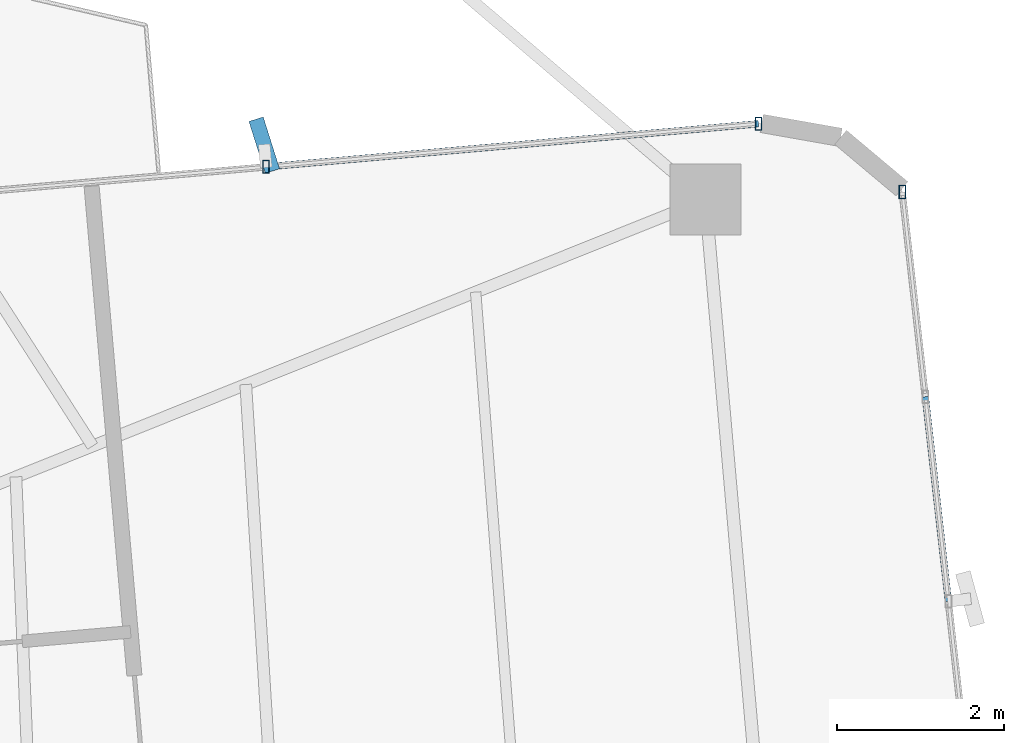
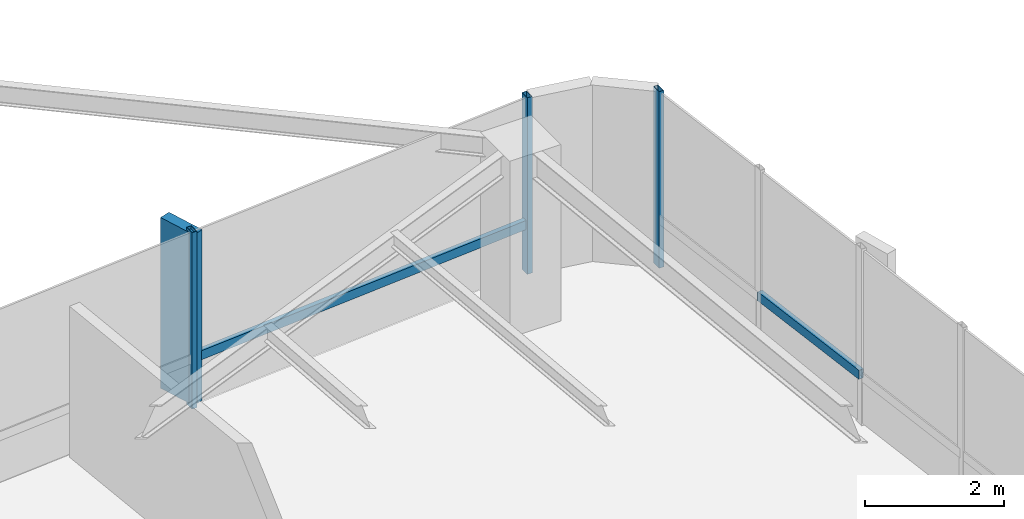
# One storey, part 15 of 24: 6 members, 2 elements without a shape of their own.
"""IFC4 building model written with IfcOpenShell, lengths in metres."""

from ifc_helpers import new_model, si_unit, direction, frame, origin, origin_2d, place, context, subcontext, project, spatial, rectangle, hollow_rectangle, extrude, source, transform, mapped, material, material_profile, profile_set, type_object, element, aggregate, save


model = new_model("IFC4")

# Units and contexts
model_context = context("Model", 3, precision=1e-05, world=origin(), true_north=direction((0.0, 1.0)))
body_context = subcontext(model_context, "Body", "Model", "MODEL_VIEW")
ifc_project = project(units=[si_unit("LENGTHUNIT", "METRE"), si_unit("AREAUNIT", "SQUARE_METRE"), si_unit("VOLUMEUNIT", "CUBIC_METRE"), si_unit("PLANEANGLEUNIT", "RADIAN"), si_unit("MASSUNIT", "GRAM", prefix="KILO")], contexts=[model_context])

# Site, building, storey
site_placement = place(None, origin())
site = spatial("IfcSite", under=ifc_project, at=site_placement, CompositionType="ELEMENT")
building_placement = place(site_placement, origin())
building = spatial("IfcBuilding", under=site, at=building_placement, Name="Sahyath Konkavel Grand Hotel", CompositionType="ELEMENT")
storey_placement = place(building_placement, frame((0.0, 0.0, 147.25)))
storey = spatial("IfcBuildingStorey", under=building, at=storey_placement, Name="L40", CompositionType="ELEMENT", Elevation=147.25)

# Curtain wall, member
ifc_material_1 = material(Name="Anodised Bronze Aluminium & Low-E Glazing", Category="aluminium")
curtain_wall_type = type_object("IfcCurtainWallType", Name="CW-ZONE3", PredefinedType="NOTDEFINED", material=ifc_material_1)
curtain_wall_1_placement = place(storey_placement, origin())
curtain_wall_1 = element("IfcCurtainWall", 1, at=curtain_wall_1_placement, inside=storey, type_object=curtain_wall_type, Name="L40 Unitised Curtain Wall F7", PredefinedType="NOTDEFINED")
ifc_material_2 = material(Name="Warm Buff Sandstone Cladding on Concrete C50/60", Category="masonry")
ifc_material_profile_1 = material_profile(ifc_material_2, rectangle(XDim=0.179931640625, YDim=0.64990234375, at=origin_2d()), Name="FIN 180x650")
ifc_profile_set_1 = profile_set([ifc_material_profile_1], Name="Warm Buff Sandstone Cladding on Concrete C50/60")
member_type_1 = type_object("IfcMemberType", Name="FIN-SANDSTONE-650", PredefinedType="MULLION", material=ifc_profile_set_1)
shared_shape_1 = source(origin(), body_context, "Body", "SweptSolid", [
    extrude(rectangle(XDim=0.179931640625, YDim=0.64990234375, at=origin_2d()), origin(), (0.0, 0.0, 1.0), 3.010009765625),
])
member_1_placement = place(storey_placement, frame((11.677001953125, 7.656982421875, 0.050048828125), z_axis=(0.0, 0.0, 1.0), x_axis=(0.953716950748, 0.300705799504, 0.0)))
member_1 = element("IfcMember", 2, at=member_1_placement, type_object=member_type_1, Name="L40 Sandstone Vertical Solar Fin FIN F7-1", PredefinedType="MULLION", context=body_context, shape_type="MappedRepresentation", body=[
    mapped(shared_shape_1, transform((0.0, 0.0, 0.0), scale=1.0)),
])

curtain_wall_2_placement = place(storey_placement, origin())
curtain_wall_2 = element("IfcCurtainWall", 3, at=curtain_wall_2_placement, inside=storey, type_object=curtain_wall_type, Name="L40 Unitised Curtain Wall F4", PredefinedType="NOTDEFINED")
ifc_material_3 = material(Name="Anodised Bronze Aluminium", Category="aluminium")
ifc_material_profile_2 = material_profile(ifc_material_3, hollow_rectangle(XDim=0.080078125, YDim=0.159912109375, WallThickness=0.006103515625, at=origin_2d()), Name="RHS 160x80x6")
ifc_profile_set_2 = profile_set([ifc_material_profile_2], Name="Anodised Bronze Aluminium")
member_type_2 = type_object("IfcMemberType", Name="CW-MUL-160", PredefinedType="MULLION", material=ifc_profile_set_2)
shared_shape_2 = source(origin(), body_context, "Body", "SweptSolid", [
    extrude(hollow_rectangle(XDim=0.080078125, YDim=0.159912109375, WallThickness=0.006103515625, at=origin_2d()), origin(), (0.0, 0.0, 1.0), 3.110107421875),
])
member_2_placement = place(storey_placement, frame((19.308349609375, 7.094970703125, 0.0), z_axis=(0.0, 0.0, 1.0), x_axis=(1.0, 0.0, 0.0)))
member_2 = element("IfcMember", 4, at=member_2_placement, type_object=member_type_2, Name="L40 Curtain Wall Mullion F4-4", PredefinedType="MULLION", context=body_context, shape_type="MappedRepresentation", body=[
    mapped(shared_shape_2, transform((0.0, 0.0, 0.0), scale=1.0)),
])

# Member
member_3_placement = place(storey_placement, frame((17.58740234375, 7.912841796875, 0.0), z_axis=(0.0, 0.0, 1.0), x_axis=(1.0, 0.0, 0.0)))
member_3 = element("IfcMember", 5, at=member_3_placement, type_object=member_type_2, Name="L40 Curtain Wall Mullion F7-0", PredefinedType="MULLION", context=body_context, shape_type="MappedRepresentation", body=[
    mapped(shared_shape_2, transform((0.0, 0.0, 0.0), scale=1.0)),
])

member_4_placement = place(storey_placement, frame((11.69970703125, 7.39794921875, 0.0), z_axis=(0.0, 0.0, 1.0), x_axis=(1.0, 0.0, 0.0)))
member_4 = element("IfcMember", 6, at=member_4_placement, type_object=member_type_2, Name="L40 Curtain Wall Mullion F7-1", PredefinedType="MULLION", context=body_context, shape_type="MappedRepresentation", body=[
    mapped(shared_shape_2, transform((0.0, 0.0, 0.0), scale=1.0)),
])

ifc_material_profile_3 = material_profile(ifc_material_3, hollow_rectangle(XDim=0.080078125, YDim=0.159912109375, WallThickness=0.006103515625, at=origin_2d()), Name="RHS 160x80x6")
ifc_profile_set_3 = profile_set([ifc_material_profile_3], Name="Anodised Bronze Aluminium")
member_type_3 = type_object("IfcMemberType", Name="CW-TRN-160", PredefinedType="USERDEFINED", material=ifc_profile_set_3)
shared_shape_3 = source(origin(), body_context, "Body", "SweptSolid", [
    extrude(hollow_rectangle(XDim=0.080078125, YDim=0.159912109375, WallThickness=0.006103515625, at=origin_2d()), origin(), (0.0, 0.0, 1.0), 2.461669921875),
])
member_5_placement = place(storey_placement, frame((19.859619140625, 2.201904296875, 0.85009765625), z_axis=(-0.111966154832, 0.993712020744, 0.0), x_axis=(-0.993712020744, -0.111966154832, 0.0)))
member_5 = element("IfcMember", 7, at=member_5_placement, type_object=member_type_3, Name="L40 Curtain Wall Transom F4-2-spandrel", ObjectType="TRANSOM", PredefinedType="USERDEFINED", context=body_context, shape_type="MappedRepresentation", body=[
    mapped(shared_shape_3, transform((0.0, 0.0, 0.0), scale=1.0)),
])

aggregate(curtain_wall_2, [member_2, member_5])

shared_shape_4 = source(origin(), body_context, "Body", "SweptSolid", [
    extrude(hollow_rectangle(XDim=0.080078125, YDim=0.159912109375, WallThickness=0.006103515625, at=origin_2d()), origin(), (0.0, 0.0, 1.0), 5.91015625),
])
member_6_placement = place(storey_placement, frame((17.58740234375, 7.912841796875, 0.85009765625), z_axis=(-0.996197841474, -0.087119806256, 0.0), x_axis=(0.087119806256, -0.996197841474, 0.0)))
member_6 = element("IfcMember", 8, at=member_6_placement, type_object=member_type_3, Name="L40 Curtain Wall Transom F7-0-spandrel", ObjectType="TRANSOM", PredefinedType="USERDEFINED", context=body_context, shape_type="MappedRepresentation", body=[
    mapped(shared_shape_4, transform((0.0, 0.0, 0.0), scale=1.0)),
])

aggregate(curtain_wall_1, [member_3, member_4, member_1, member_6])

save(model, "model.ifc")
